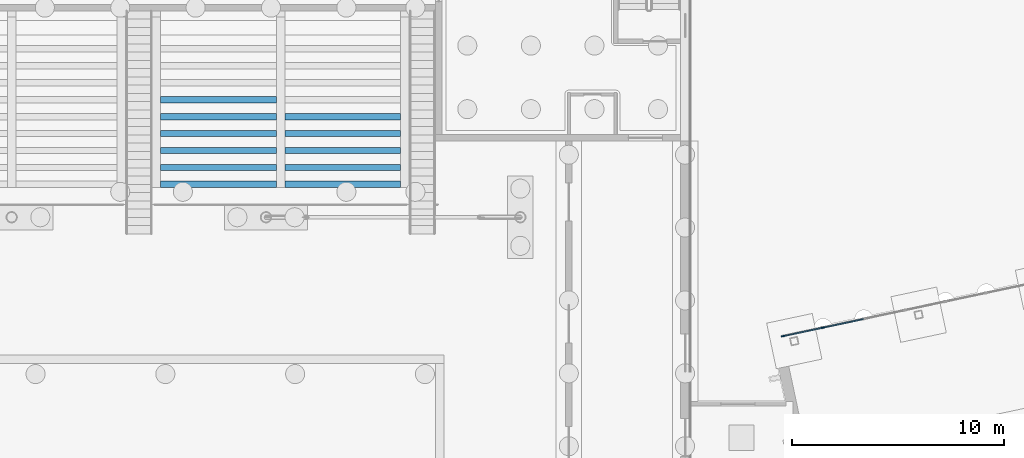
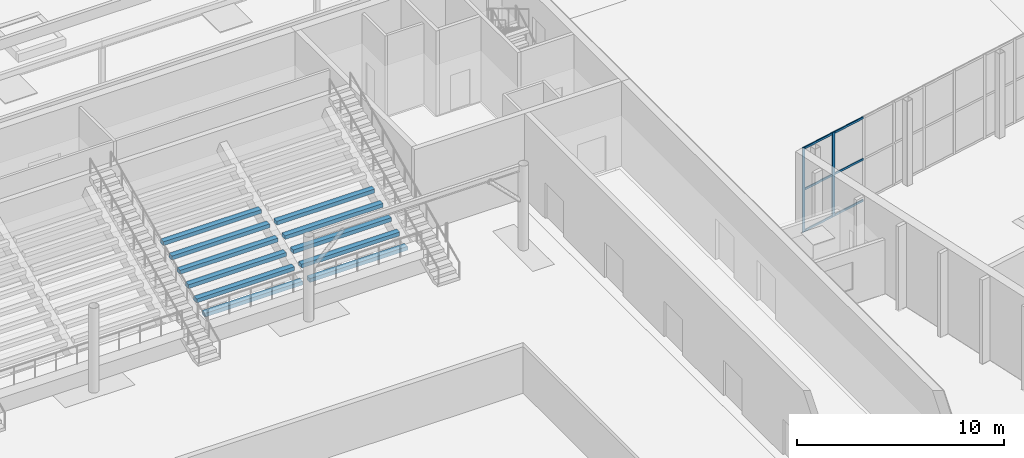
# One storey, part 51 of 157: 11 beams, 8 members, 1 element without a shape of its own.
"""IFC4 building model written with IfcOpenShell, lengths in metres."""

from ifc_helpers import new_model, si_unit, direction, frame, origin, origin_2d, place, context, subcontext, project, spatial, rectangle, extrude, material, layer, layer_set, material_profile, profile_set, type_object, element, aggregate, save


model = new_model("IFC4")

# Units and contexts
model_context = context("Model", 3, precision=1e-05, world=origin(), true_north=direction((0.0, 1.0)))
body_context = subcontext(model_context, "Body", "Model", "MODEL_VIEW")
ifc_project = project(units=[si_unit("LENGTHUNIT", "METRE"), si_unit("AREAUNIT", "SQUARE_METRE"), si_unit("VOLUMEUNIT", "CUBIC_METRE"), si_unit("PLANEANGLEUNIT", "RADIAN"), si_unit("MASSUNIT", "GRAM", prefix="KILO")], contexts=[model_context])

# Site, building, storey
site_placement = place(None, origin())
site = spatial("IfcSite", under=ifc_project, at=site_placement, CompositionType="ELEMENT")
building_placement = place(site_placement, origin())
building = spatial("IfcBuilding", under=site, at=building_placement, Name="Windward Yard Aquatics Centre", CompositionType="ELEMENT")
storey_placement = place(building_placement, origin())
storey = spatial("IfcBuildingStorey", under=building, at=storey_placement, Name="L00", CompositionType="ELEMENT", Elevation=0.0)

# Curtain wall, members
ifc_material_1 = material(Name="Aluminium and glass", Category="aluminium")
ifc_layer = layer(ifc_material_1, 0.159912109375)
ifc_layer_set = layer_set([ifc_layer], Name="D curtain wall 160")
curtain_wall_type = type_object("IfcCurtainWallType", Name="D curtain wall 160", PredefinedType="NOTDEFINED", material=ifc_layer_set)
curtain_wall_placement = place(storey_placement, origin())
curtain_wall = element("IfcCurtainWall", 1, at=curtain_wall_placement, inside=storey, type_object=curtain_wall_type, Name="North glazing L00", PredefinedType="NOTDEFINED")
ifc_material_2 = material(Name="Aluminium extrusion", Category="aluminium")
ifc_material_profile_1 = material_profile(ifc_material_2, rectangle(XDim=0.06005859375, YDim=0.159912109375, at=origin_2d()), Name="MULLION 60X160")
ifc_profile_set_1 = profile_set([ifc_material_profile_1], Name="Aluminium extrusion")
member_type_1 = type_object("IfcMemberType", Name="D curtain wall mullion 60X160", PredefinedType="MULLION", material=ifc_profile_set_1)
member_1_placement = place(storey_placement, frame((156.399169921875, 74.788330078125, 0.0), z_axis=(0.0, 0.0, 1.0), x_axis=(-0.207911718662, 0.978147594815, 0.0)))
member_1 = element("IfcMember", 2, at=member_1_placement, type_object=member_type_1, Name="DCW-L00 mullion 1", PredefinedType="MULLION", context=body_context, shape_type="SweptSolid", body=[
    extrude(rectangle(XDim=0.06005859375, YDim=0.159912109375, at=origin_2d()), origin(), (0.0, 0.0, 1.0), 5.0),
])
member_2_placement = place(storey_placement, frame((158.292724609375, 75.19091796875, 0.0), z_axis=(0.0, 0.0, 1.0), x_axis=(-0.207911718662, 0.978147594815, 0.0)))
member_2 = element("IfcMember", 3, at=member_2_placement, type_object=member_type_1, Name="DCW-L00 mullion 2", PredefinedType="MULLION", context=body_context, shape_type="SweptSolid", body=[
    extrude(rectangle(XDim=0.06005859375, YDim=0.159912109375, at=origin_2d()), origin(), (0.0, 0.0, 1.0), 5.0),
])
ifc_material_profile_2 = material_profile(ifc_material_2, rectangle(XDim=0.06005859375, YDim=0.1201171875, at=origin_2d()), Name="TRANSOM 60X120")
ifc_profile_set_2 = profile_set([ifc_material_profile_2], Name="Aluminium extrusion")
member_type_2 = type_object("IfcMemberType", Name="D curtain wall transom 60X120", PredefinedType="USERDEFINED", material=ifc_profile_set_2)
member_3_placement = place(storey_placement, frame((156.428466796875, 74.794677734375, 0.06005859375), z_axis=(0.97815719688, 0.207866539377, 0.0), x_axis=(-0.207866539377, 0.97815719688, 0.0)))
member_3 = element("IfcMember", 4, at=member_3_placement, type_object=member_type_2, Name="DCW-L00 transom 1.1", ObjectType="TRANSOM", PredefinedType="USERDEFINED", context=body_context, shape_type="SweptSolid", body=[
    extrude(rectangle(XDim=0.06005859375, YDim=0.1201171875, at=origin_2d()), origin(), (0.0, 0.0, 1.0), 1.875732421875),
])
member_4_placement = place(storey_placement, frame((156.428466796875, 74.794677734375, 2.5), z_axis=(0.97815719688, 0.207866539377, 0.0), x_axis=(-0.207866539377, 0.97815719688, 0.0)))
member_4 = element("IfcMember", 5, at=member_4_placement, type_object=member_type_2, Name="DCW-L00 transom 1.2", ObjectType="TRANSOM", PredefinedType="USERDEFINED", context=body_context, shape_type="SweptSolid", body=[
    extrude(rectangle(XDim=0.06005859375, YDim=0.1201171875, at=origin_2d()), origin(), (0.0, 0.0, 1.0), 1.875732421875),
])
member_5_placement = place(storey_placement, frame((156.428466796875, 74.794677734375, 4.93994140625), z_axis=(0.97815719688, 0.207866539377, 0.0), x_axis=(-0.207866539377, 0.97815719688, 0.0)))
member_5 = element("IfcMember", 6, at=member_5_placement, type_object=member_type_2, Name="DCW-L00 transom 1.3", ObjectType="TRANSOM", PredefinedType="USERDEFINED", context=body_context, shape_type="SweptSolid", body=[
    extrude(rectangle(XDim=0.06005859375, YDim=0.1201171875, at=origin_2d()), origin(), (0.0, 0.0, 1.0), 1.875732421875),
])
member_6_placement = place(storey_placement, frame((158.322021484375, 75.197021484375, 0.06005859375), z_axis=(0.978144196583, 0.207927705443, 0.0), x_axis=(-0.207927705443, 0.978144196583, 0.0)))
member_6 = element("IfcMember", 7, at=member_6_placement, type_object=member_type_2, Name="DCW-L00 transom 2.1", ObjectType="TRANSOM", PredefinedType="USERDEFINED", context=body_context, shape_type="SweptSolid", body=[
    extrude(rectangle(XDim=0.06005859375, YDim=0.1201171875, at=origin_2d()), origin(), (0.0, 0.0, 1.0), 1.90576171875),
])
member_7_placement = place(storey_placement, frame((158.322021484375, 75.197021484375, 2.5), z_axis=(0.978144196583, 0.207927705443, 0.0), x_axis=(-0.207927705443, 0.978144196583, 0.0)))
member_7 = element("IfcMember", 8, at=member_7_placement, type_object=member_type_2, Name="DCW-L00 transom 2.2", ObjectType="TRANSOM", PredefinedType="USERDEFINED", context=body_context, shape_type="SweptSolid", body=[
    extrude(rectangle(XDim=0.06005859375, YDim=0.1201171875, at=origin_2d()), origin(), (0.0, 0.0, 1.0), 1.90576171875),
])
member_8_placement = place(storey_placement, frame((158.322021484375, 75.197021484375, 4.93994140625), z_axis=(0.978144196583, 0.207927705443, 0.0), x_axis=(-0.207927705443, 0.978144196583, 0.0)))
member_8 = element("IfcMember", 9, at=member_8_placement, type_object=member_type_2, Name="DCW-L00 transom 2.3", ObjectType="TRANSOM", PredefinedType="USERDEFINED", context=body_context, shape_type="SweptSolid", body=[
    extrude(rectangle(XDim=0.06005859375, YDim=0.1201171875, at=origin_2d()), origin(), (0.0, 0.0, 1.0), 1.90576171875),
])
aggregate(curtain_wall, [member_1, member_2, member_3, member_4, member_5, member_6, member_7, member_8])

# Beams
ifc_material_3 = material(Name="Concrete C35/45", Category="concrete")
ifc_material_profile_3 = material_profile(ifc_material_3, rectangle(XDim=0.300048828125, YDim=0.22509765625, at=origin_2d()), Name="RC 300X225")
ifc_profile_set_3 = profile_set([ifc_material_profile_3], Name="Concrete C35/45")
beam_type = type_object("IfcBeamType", Name="H stand tread beam RC 300X225 C35/45", PredefinedType="USERDEFINED", material=ifc_profile_set_3)
for number, where, z_axis, x_axis, name in (
    (10, (127.02490234375, 81.949951171875, 1.107421875), (1.0, 0.0, 0.0), (0.0, 1.0, 0.0), "H.TD.N.6.R02.1"),
    (11, (132.887451171875, 81.949951171875, 1.107421875), (1.0, 0.0, 0.0), (0.0, 1.0, 0.0), "H.TD.N.6.R02.2"),
    (12, (127.02490234375, 82.75, 1.467529296875), (1.0, 0.0, 0.0), (0.0, 1.0, 0.0), "H.TD.N.6.R03.1"),
    (13, (132.887451171875, 82.75, 1.467529296875), (1.0, 0.0, 0.0), (0.0, 1.0, 0.0), "H.TD.N.6.R03.2"),
    (14, (127.02490234375, 83.550048828125, 1.827392578125), (1.0, 0.0, 0.0), (0.0, 1.0, 0.0), "H.TD.N.6.R04.1"),
    (15, (132.887451171875, 83.550048828125, 1.827392578125), (1.0, 0.0, 0.0), (0.0, 1.0, 0.0), "H.TD.N.6.R04.2"),
    (16, (127.02490234375, 84.35009765625, 2.1875), (1.0, 0.0, 0.0), (0.0, 1.0, 0.0), "H.TD.N.6.R05.1"),
    (17, (132.887451171875, 84.35009765625, 2.1875), (1.0, 0.0, 0.0), (0.0, 1.0, 0.0), "H.TD.N.6.R05.2"),
    (18, (127.02490234375, 85.14990234375, 2.547607421875), (1.0, 0.0, 0.0), (0.0, 1.0, 0.0), "H.TD.N.6.R06.1"),
    (19, (132.887451171875, 85.14990234375, 2.547607421875), (1.0, 0.0, 0.0), (0.0, 1.0, 0.0), "H.TD.N.6.R06.2"),
    (20, (127.02490234375, 85.949951171875, 2.907470703125), (1.0, 0.0, 0.0), (0.0, 1.0, 0.0), "H.TD.N.6.R07.1"),
):
    element("IfcBeam", number, at=place(storey_placement, frame(where, z_axis=z_axis, x_axis=x_axis)), inside=storey, type_object=beam_type, Name=name, ObjectType="TREAD BEAM", PredefinedType="USERDEFINED", context=body_context, shape_type="SweptSolid", body=[
        extrude(rectangle(XDim=0.300048828125, YDim=0.22509765625, at=origin_2d()), origin(), (0.0, 0.0, 1.0), 5.462646484375),
    ])

save(model, "model.ifc")
